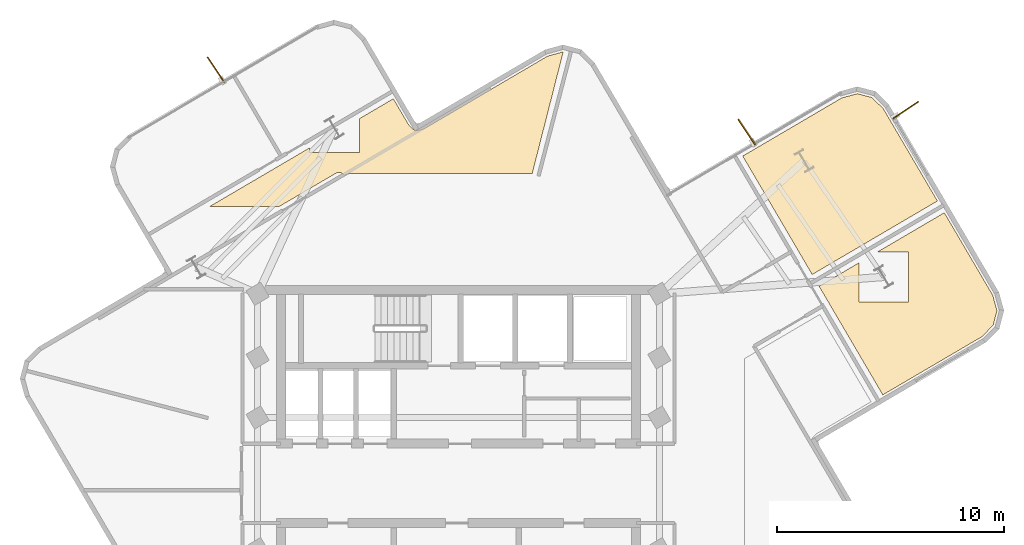
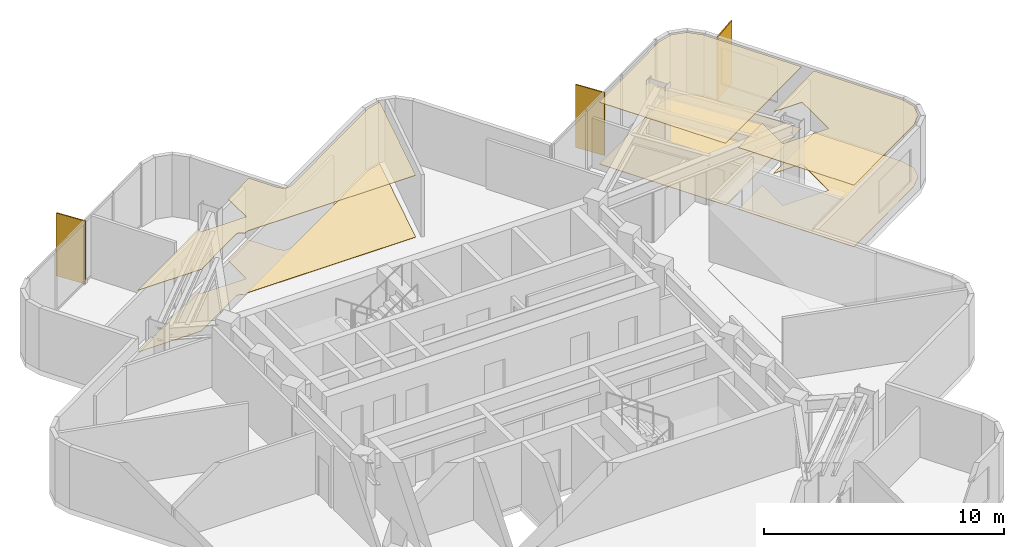
# One storey, part 8 of 8: 6 coverings, 3 shading devices.
"""IFC4 building model written with IfcOpenShell, lengths in metres."""

from ifc_helpers import new_model, si_unit, direction, frame, origin, origin_2d, place, context, subcontext, project, spatial, polyline, rectangle, outline, extrude, material, layer, layer_set, type_object, element, save


model = new_model("IFC4")

# Units and contexts
model_context = context("Model", 3, precision=1e-05, world=origin(), true_north=direction((0.0, 1.0)))
body_context = subcontext(model_context, "Body", "Model", "MODEL_VIEW")
ifc_project = project(units=[si_unit("LENGTHUNIT", "METRE"), si_unit("AREAUNIT", "SQUARE_METRE"), si_unit("VOLUMEUNIT", "CUBIC_METRE"), si_unit("PLANEANGLEUNIT", "RADIAN"), si_unit("MASSUNIT", "GRAM", prefix="KILO")], contexts=[model_context])

# Site, building, storey
site_placement = place(None, origin())
site = spatial("IfcSite", under=ifc_project, at=site_placement, CompositionType="ELEMENT")
building_placement = place(site_placement, origin())
building = spatial("IfcBuilding", under=site, at=building_placement, Name="Solmarez Civic Tower", CompositionType="ELEMENT")
storey_placement = place(building_placement, frame((0.0, 0.0, 205.199951171875)))
storey = spatial("IfcBuildingStorey", under=building, at=storey_placement, Name="L54", CompositionType="ELEMENT", Elevation=205.199951171875)

# Coverings
ifc_material_1 = material(Name="Perforated Mineral-Fibre Acoustic Ceiling")
ifc_layer_1 = layer(ifc_material_1, 0.02490234375)
ifc_layer_set_1 = layer_set([ifc_layer_1], Name="Perforated Mineral-Fibre Acoustic Ceiling")
covering_type_1 = type_object("IfcCoveringType", Name="COV-CEIL-ACOUSTIC", PredefinedType="CEILING", material=ifc_layer_set_1)
covering_1_placement = place(storey_placement, frame((0.0, 0.0, 3.135009765625)))
element("IfcCovering", 1, at=covering_1_placement, inside=storey, type_object=covering_type_1, Name="L54 Suspended Acoustic Ceiling 1", PredefinedType="CEILING", context=body_context, shape_type="SweptSolid", body=[
    extrude(outline(polyline([(-10.9619140625, 12.199951171875), (-7.89794921875, 12.199951171875), (-5.402099609375, 13.6640625), (-5.3798828125, 13.675048828125), (-5.37109375, 13.678955078125), (-5.34912109375, 13.68798828125), (-5.324951171875, 13.694091796875), (-5.320068359375, 13.695068359375), (-5.299072265625, 13.697998046875), (-5.277099609375, 13.698974609375), (-5.26708984375, 13.698974609375), (-5.2451171875, 13.697998046875), (-5.22412109375, 13.695068359375), (-5.218994140625, 13.694091796875), (-5.214111328125, 13.693115234375), (-5.205078125, 13.69091796875), (-5.18798828125, 13.68603515625), (-5.1708984375, 13.679931640625), (-5.166015625, 13.677978515625), (-5.14794921875, 13.669921875), (-5.131103515625, 13.660888671875), (-5.123046875, 13.656005859375), (-5.10302734375, 13.64111328125), (-5.083984375, 13.625), (-5.076904296875, 13.617919921875), (-5.056884765625, 13.593994140625), (-5.051025390625, 13.5859375), (-5.0390625, 13.568115234375), (-4.85107421875, 13.635986328125), (-4.844970703125, 13.637939453125), (-4.818115234375, 13.64501953125), (-4.81298828125, 13.64599609375), (-4.7919921875, 13.64892578125), (-4.77001953125, 13.64990234375), (3.2490234375, 13.64990234375), (4.614013671875, 19.010986328125), (4.60791015625, 19.011962890625), (3.924072265625, 18.823974609375), (-1.510009765625, 15.635986328125), (-1.52294921875, 15.62890625), (-1.534912109375, 15.623046875), (-1.552978515625, 15.614990234375), (-1.572998046875, 15.60791015625), (-1.5810546875, 15.60595703125), (-1.74609375, 15.56005859375), (-1.7529296875, 15.55810546875), (-1.76904296875, 15.553955078125), (-1.785888671875, 15.552001953125), (-1.7939453125, 15.551025390625), (-1.821044921875, 15.549072265625), (-1.827880859375, 15.549072265625), (-1.85498046875, 15.551025390625), (-1.866943359375, 15.552001953125), (-1.8740234375, 15.552978515625), (-1.89599609375, 15.55810546875), (-1.904052734375, 15.56005859375), (-1.910888671875, 15.56103515625), (-1.91796875, 15.56298828125), (-1.943115234375, 15.572021484375), (-1.967041015625, 15.583984375), (-1.97412109375, 15.587890625), (-1.987060546875, 15.595947265625), (-1.992919921875, 15.60009765625), (-1.9990234375, 15.60400390625), (-2.01806640625, 15.617919921875), (-2.02392578125, 15.623046875), (-2.0380859375, 15.635986328125), (-2.160888671875, 15.757080078125), (-2.166015625, 15.761962890625), (-2.178955078125, 15.777099609375), (-2.18408203125, 15.782958984375), (-2.194091796875, 15.797119140625), (-2.2041015625, 15.81103515625), (-2.2080078125, 15.818115234375), (-2.8701171875, 16.947021484375), (-4.367919921875, 16.068115234375), (-4.367919921875, 14.571044921875), (-6.568115234375, 14.571044921875), (-6.568115234375, 14.778076171875), (-10.9619140625, 12.199951171875)])), origin(), (0.0, 0.0, 1.0), 0.025146484375),
])
covering_2_placement = place(storey_placement, frame((0.0, 0.0, 3.135009765625)))
element("IfcCovering", 2, at=covering_2_placement, inside=storey, type_object=covering_type_1, Name="L54 Suspended Acoustic Ceiling 4", PredefinedType="CEILING", context=body_context, shape_type="SweptSolid", body=[
    extrude(outline(polyline([(21.10595703125, 12.44091796875), (18.722900390625, 16.50390625), (18.218994140625, 17.0009765625), (17.572998046875, 17.1689453125), (16.888916015625, 16.98193359375), (12.52490234375, 14.4208984375), (15.5859375, 9.201904296875), (21.10595703125, 12.44091796875)])), origin(), (0.0, 0.0, 1.0), 0.025146484375),
])
covering_3_placement = place(storey_placement, frame((0.0, 0.0, 3.135009765625)))
element("IfcCovering", 3, at=covering_3_placement, inside=storey, type_object=covering_type_1, Name="L54 Suspended Acoustic Ceiling 5", PredefinedType="CEILING", context=body_context, shape_type="SweptSolid", body=[
    extrude(outline(polyline([(18.697998046875, 3.89794921875), (23.06298828125, 6.458984375), (23.56005859375, 6.962890625), (23.72802734375, 7.60888671875), (23.541015625, 8.2919921875), (21.409912109375, 11.924072265625), (18.467041015625, 10.197021484375), (19.841064453125, 10.197021484375), (19.841064453125, 7.9970703125), (17.64111328125, 7.9970703125), (17.64111328125, 9.7119140625), (15.889892578125, 8.68505859375), (18.697998046875, 3.89794921875)])), origin(), (0.0, 0.0, 1.0), 0.025146484375),
])
ifc_material_2 = material(Name="Polished Tropical Stone Terrazzo Flooring", Category="masonry")
ifc_layer_2 = layer(ifc_material_2, 0.02001953125)
ifc_layer_set_2 = layer_set([ifc_layer_2], Name="Polished Tropical Stone Terrazzo Flooring")
covering_type_2 = type_object("IfcCoveringType", Name="COV-FLOOR-TERRAZZO", PredefinedType="FLOORING", material=ifc_layer_set_2)
covering_4_placement = place(storey_placement, origin())
element("IfcCovering", 4, at=covering_4_placement, inside=storey, type_object=covering_type_2, Name="L54 Terrazzo Floor Finish 1", PredefinedType="FLOORING", context=body_context, shape_type="SweptSolid", body=[
    extrude(outline(polyline([(-10.9619140625, 12.199951171875), (-7.89794921875, 12.199951171875), (-5.402099609375, 13.6640625), (-5.3798828125, 13.675048828125), (-5.37109375, 13.678955078125), (-5.34912109375, 13.68798828125), (-5.324951171875, 13.694091796875), (-5.320068359375, 13.695068359375), (-5.299072265625, 13.697998046875), (-5.277099609375, 13.698974609375), (-5.26708984375, 13.698974609375), (-5.2451171875, 13.697998046875), (-5.22412109375, 13.695068359375), (-5.218994140625, 13.694091796875), (-5.214111328125, 13.693115234375), (-5.205078125, 13.69091796875), (-5.18798828125, 13.68603515625), (-5.1708984375, 13.679931640625), (-5.166015625, 13.677978515625), (-5.14794921875, 13.669921875), (-5.131103515625, 13.660888671875), (-5.123046875, 13.656005859375), (-5.10302734375, 13.64111328125), (-5.083984375, 13.625), (-5.076904296875, 13.617919921875), (-5.056884765625, 13.593994140625), (-5.051025390625, 13.5859375), (-5.0390625, 13.568115234375), (-4.85107421875, 13.635986328125), (-4.844970703125, 13.637939453125), (-4.818115234375, 13.64501953125), (-4.81298828125, 13.64599609375), (-4.7919921875, 13.64892578125), (-4.77001953125, 13.64990234375), (3.2490234375, 13.64990234375), (4.614013671875, 19.010986328125), (4.60791015625, 19.011962890625), (3.924072265625, 18.823974609375), (-1.510009765625, 15.635986328125), (-1.52294921875, 15.62890625), (-1.534912109375, 15.623046875), (-1.552978515625, 15.614990234375), (-1.572998046875, 15.60791015625), (-1.5810546875, 15.60595703125), (-1.74609375, 15.56005859375), (-1.7529296875, 15.55810546875), (-1.76904296875, 15.553955078125), (-1.785888671875, 15.552001953125), (-1.7939453125, 15.551025390625), (-1.821044921875, 15.549072265625), (-1.827880859375, 15.549072265625), (-1.85498046875, 15.551025390625), (-1.866943359375, 15.552001953125), (-1.8740234375, 15.552978515625), (-1.89599609375, 15.55810546875), (-1.904052734375, 15.56005859375), (-1.910888671875, 15.56103515625), (-1.91796875, 15.56298828125), (-1.943115234375, 15.572021484375), (-1.967041015625, 15.583984375), (-1.97412109375, 15.587890625), (-1.987060546875, 15.595947265625), (-1.992919921875, 15.60009765625), (-1.9990234375, 15.60400390625), (-2.01806640625, 15.617919921875), (-2.02392578125, 15.623046875), (-2.0380859375, 15.635986328125), (-2.160888671875, 15.757080078125), (-2.166015625, 15.761962890625), (-2.178955078125, 15.777099609375), (-2.18408203125, 15.782958984375), (-2.194091796875, 15.797119140625), (-2.2041015625, 15.81103515625), (-2.2080078125, 15.818115234375), (-2.8701171875, 16.947021484375), (-4.367919921875, 16.068115234375), (-4.367919921875, 14.571044921875), (-6.568115234375, 14.571044921875), (-6.568115234375, 14.778076171875), (-10.9619140625, 12.199951171875)])), origin(), (0.0, 0.0, 1.0), 0.02001953125),
])
covering_5_placement = place(storey_placement, origin())
element("IfcCovering", 5, at=covering_5_placement, inside=storey, type_object=covering_type_2, Name="L54 Terrazzo Floor Finish 4", PredefinedType="FLOORING", context=body_context, shape_type="SweptSolid", body=[
    extrude(outline(polyline([(21.10595703125, 12.44091796875), (18.722900390625, 16.50390625), (18.218994140625, 17.0009765625), (17.572998046875, 17.1689453125), (16.888916015625, 16.98193359375), (12.52490234375, 14.4208984375), (15.5859375, 9.201904296875), (21.10595703125, 12.44091796875)])), origin(), (0.0, 0.0, 1.0), 0.02001953125),
])
covering_6_placement = place(storey_placement, origin())
element("IfcCovering", 6, at=covering_6_placement, inside=storey, type_object=covering_type_2, Name="L54 Terrazzo Floor Finish 5", PredefinedType="FLOORING", context=body_context, shape_type="SweptSolid", body=[
    extrude(outline(polyline([(18.697998046875, 3.89794921875), (23.06298828125, 6.458984375), (23.56005859375, 6.962890625), (23.72802734375, 7.60888671875), (23.541015625, 8.2919921875), (21.409912109375, 11.924072265625), (18.467041015625, 10.197021484375), (19.841064453125, 10.197021484375), (19.841064453125, 7.9970703125), (17.64111328125, 7.9970703125), (17.64111328125, 9.7119140625), (15.889892578125, 8.68505859375), (18.697998046875, 3.89794921875)])), origin(), (0.0, 0.0, 1.0), 0.02001953125),
])

# Shading devices
ifc_material_3 = material(Name="Bronze Anodised Aluminium EN AW-6063 T6", Category="aluminium")
ifc_layer_3 = layer(ifc_material_3, 0.054931640625)
ifc_layer_set_3 = layer_set([ifc_layer_3], Name="Bronze Anodised Aluminium EN AW-6063 T6")
shading_device_type = type_object("IfcShadingDeviceType", Name="FIN-BRONZE-Z56", PredefinedType="USERDEFINED", material=ifc_layer_set_3)
for number, where, z_axis, x_axis, name in (
    (7, (-10.68994140625, 18.220947265625, -0.0400390625), (0.0, 0.0, 1.0), (-0.556368130457, 0.83093592016, 0.0), "L54 Anodised Bronze Solar Fin FIN-L54-02"),
    (8, (12.702880859375, 15.48291015625, -0.0400390625), (0.0, 0.0, 1.0), (-0.55620859196, 0.831042719858, 0.0), "L54 Anodised Bronze Solar Fin FIN-L54-03"),
    (9, (19.7119140625, 16.448974609375, -0.0400390625), (0.0, 0.0, 1.0), (0.831013595706, 0.556252104493, 0.0), "L54 Anodised Bronze Solar Fin FIN-L54-04"),
):
    element("IfcShadingDevice", number, at=place(storey_placement, frame(where, z_axis=z_axis, x_axis=x_axis)), inside=storey, type_object=shading_device_type, Name=name, ObjectType="FIN", PredefinedType="USERDEFINED", context=body_context, shape_type="SweptSolid", body=[
        extrude(rectangle(XDim=1.35009765625, YDim=0.054931640625, at=origin_2d()), origin(), (0.0, 0.0, 1.0), 3.199951171875),
    ])

save(model, "model.ifc")
